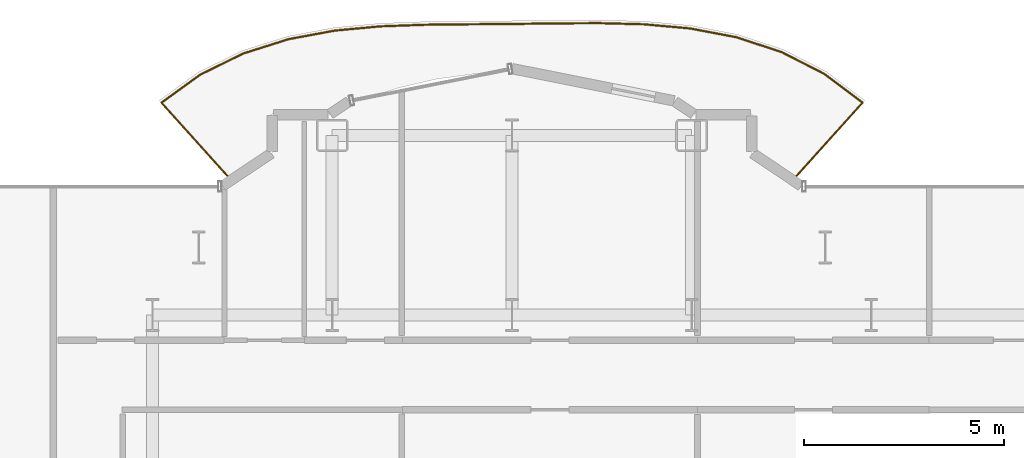
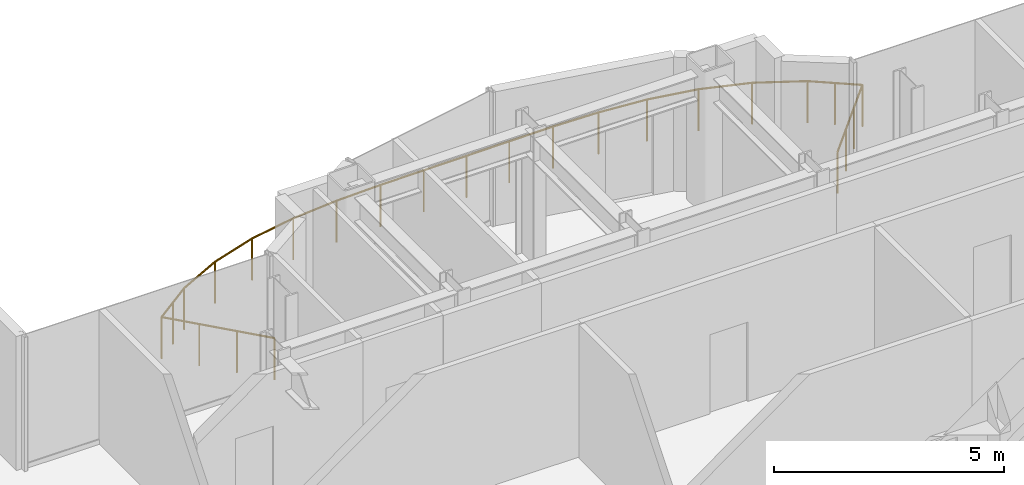
# One storey, part 23 of 23: 1 railing.
"""IFC4 building model written with IfcOpenShell, lengths in metres."""

from ifc_helpers import new_model, si_unit, direction, frame, origin, origin_2d, place, context, subcontext, project, spatial, circle, extrude, material, type_object, element, save


model = new_model("IFC4")

# Units and contexts
model_context = context("Model", 3, precision=1e-05, world=origin(), true_north=direction((0.0, 1.0)))
body_context = subcontext(model_context, "Body", "Model", "MODEL_VIEW")
ifc_project = project(units=[si_unit("LENGTHUNIT", "METRE"), si_unit("AREAUNIT", "SQUARE_METRE"), si_unit("VOLUMEUNIT", "CUBIC_METRE"), si_unit("PLANEANGLEUNIT", "RADIAN"), si_unit("MASSUNIT", "GRAM", prefix="KILO")], contexts=[model_context])

# Site, building, storey
site_placement = place(None, origin())
site = spatial("IfcSite", under=ifc_project, at=site_placement, CompositionType="ELEMENT")
building_placement = place(site_placement, origin())
building = spatial("IfcBuilding", under=site, at=building_placement, Name="Nefas-Gora Pilgrimage Tower", CompositionType="ELEMENT")
storey_placement = place(building_placement, frame((0.0, 0.0, 156.39990234375)))
storey = spatial("IfcBuildingStorey", under=building, at=storey_placement, Name="L38", CompositionType="ELEMENT", Elevation=156.39990234375)

# Railing
ifc_material = material(Name="Laminated safety glass and stainless steel", Category="steel")
railing_type = type_object("IfcRailingType", Name="RLG-BAL-1100", PredefinedType="BALUSTRADE", material=ifc_material)
railing_placement = place(storey_placement, frame((4.802490234375, 21.402587890625, 0.0)))
element("IfcRailing", 1, at=railing_placement, inside=storey, type_object=railing_type, Name="L38 Wave Balcony Balustrade N1", PredefinedType="BALUSTRADE", context=body_context, shape_type="SweptSolid", body=[
    extrude(circle(Radius=0.02392578125, at=origin_2d()), frame((0.0, 0.0, 1.09619140625), z_axis=(0.669142449017, 0.743134162129, 0.0), x_axis=(-0.743134162129, 0.669142449017, 0.0)), (0.0, 0.0, 1.0), 2.580322265625),
    extrude(circle(Radius=0.02392578125, at=origin_2d()), frame((1.7265625, 1.91748046875, 1.09619140625), z_axis=(-0.799609380454, 0.600520473164, 0.0), x_axis=(-0.600520473164, -0.799609380454, 0.0)), (0.0, 0.0, 1.0), 1.200439453125),
    extrude(circle(Radius=0.02392578125, at=origin_2d()), frame((0.7666015625, 2.638427734375, 1.09619140625), z_axis=(-0.890733279512, 0.45452637412, 0.0), x_axis=(-0.45452637412, -0.890733279512, 0.0)), (0.0, 0.0, 1.0), 1.199462890625),
    extrude(circle(Radius=0.02392578125, at=origin_2d()), frame((-0.3017578125, 3.18359375, 1.09619140625), z_axis=(-0.950145160324, 0.311807912523, 0.0), x_axis=(-0.311807912523, -0.950145160324, 0.0)), (0.0, 0.0, 1.0), 1.194091796875),
    extrude(circle(Radius=0.02392578125, at=origin_2d()), frame((-1.436279296875, 3.555908203125, 1.09619140625), z_axis=(-0.982457799544, 0.186485045284, 0.0), x_axis=(-0.186485045284, -0.982457799544, 0.0)), (0.0, 0.0, 1.0), 1.180908203125),
    extrude(circle(Radius=0.02392578125, at=origin_2d()), frame((-2.596435546875, 3.776123046875, 1.09619140625), z_axis=(-0.996011638398, 0.089223405981, 0.0), x_axis=(-0.089223405981, -0.996011638398, 0.0)), (0.0, 0.0, 1.0), 1.157470703125),
    extrude(circle(Radius=0.02392578125, at=origin_2d()), frame((-3.749267578125, 3.87939453125, 1.09619140625), z_axis=(-0.99967356135, 0.025549378436, 0.0), x_axis=(-0.025549378436, -0.99967356135, 0.0)), (0.0, 0.0, 1.0), 1.127685546875),
    extrude(circle(Radius=0.02392578125, at=origin_2d()), frame((-4.87646484375, 3.908203125, 1.09619140625), z_axis=(-0.999980616702, -0.00622625245, 0.0), x_axis=(0.00622625245, -0.999980616702, 0.0)), (0.0, 0.0, 1.0), 1.097900390625),
    extrude(circle(Radius=0.02392578125, at=origin_2d()), frame((-5.974365234375, 3.9013671875, 1.09619140625), z_axis=(-0.99992244912, -0.012453744271, 0.0), x_axis=(0.012453744271, -0.99992244912, 0.0)), (0.0, 0.0, 1.0), 1.078125),
    extrude(circle(Radius=0.02392578125, at=origin_2d()), frame((-7.052490234375, 3.887939453125, 1.09619140625), z_axis=(-0.999968478826, -0.007939858611, 0.0), x_axis=(0.007939858611, -0.999968478826, 0.0)), (0.0, 0.0, 1.0), 1.076171875),
    extrude(circle(Radius=0.02392578125, at=origin_2d()), frame((-8.128662109375, 3.87939453125, 1.09619140625), z_axis=(-0.999947171878, -0.010278786571, 0.0), x_axis=(0.010278786571, -0.999947171878, 0.0)), (0.0, 0.0, 1.0), 1.092529296875),
    extrude(circle(Radius=0.02392578125, at=origin_2d()), frame((-9.22119140625, 3.8681640625, 1.09619140625), z_axis=(-0.99936174395, -0.03572260811, 0.0), x_axis=(0.03572260811, -0.99936174395, 0.0)), (0.0, 0.0, 1.0), 1.120849609375),
    extrude(circle(Radius=0.02392578125, at=origin_2d()), frame((-10.34130859375, 3.828125, 1.09619140625), z_axis=(-0.995737068409, -0.092237143262, 0.0), x_axis=(0.092237143262, -0.995737068409, 0.0)), (0.0, 0.0, 1.0), 1.1513671875),
    extrude(circle(Radius=0.02392578125, at=origin_2d()), frame((-11.48779296875, 3.721923828125, 1.09619140625), z_axis=(-0.983222780011, -0.182408785063, 0.0), x_axis=(0.182408785063, -0.983222780011, 0.0)), (0.0, 0.0, 1.0), 1.176513671875),
    extrude(circle(Radius=0.02392578125, at=origin_2d()), frame((-12.64453125, 3.50732421875, 1.09619140625), z_axis=(-0.953347137132, -0.301876193369, 0.0), x_axis=(0.301876193369, -0.953347137132, 0.0)), (0.0, 0.0, 1.0), 1.192138671875),
    extrude(circle(Radius=0.02392578125, at=origin_2d()), frame((-13.781005859375, 3.1474609375, 1.09619140625), z_axis=(-0.8975416003, -0.440929785489, 0.0), x_axis=(0.440929785489, -0.8975416003, 0.0)), (0.0, 0.0, 1.0), 1.19873046875),
    extrude(circle(Radius=0.02392578125, at=origin_2d()), frame((-14.85693359375, 2.618896484375, 1.09619140625), z_axis=(-0.81049147795, -0.58575042823, 0.0), x_axis=(0.58575042823, -0.81049147795, 0.0)), (0.0, 0.0, 1.0), 1.200439453125),
    extrude(circle(Radius=0.02392578125, at=origin_2d()), frame((-15.829833984375, 1.915771484375, 1.09619140625), z_axis=(0.669105995394, -0.743166984552, 0.0), x_axis=(0.743166984552, 0.669105995394, 0.0)), (0.0, 0.0, 1.0), 2.577880859375),
    extrude(circle(Radius=0.02099609375, at=origin_2d()), origin(), (0.0, 0.0, 1.0), 1.072021484375),
    extrude(circle(Radius=0.02099609375, at=origin_2d()), frame((0.575439453125, 0.63916015625, 0.0)), (0.0, 0.0, 1.0), 1.072021484375),
    extrude(circle(Radius=0.02099609375, at=origin_2d()), frame((1.151123046875, 1.2783203125, 0.0)), (0.0, 0.0, 1.0), 1.072021484375),
    extrude(circle(Radius=0.02099609375, at=origin_2d()), frame((1.7265625, 1.91748046875, 0.0)), (0.0, 0.0, 1.0), 1.072021484375),
    extrude(circle(Radius=0.02099609375, at=origin_2d()), frame((1.24658203125, 2.27783203125, 0.0)), (0.0, 0.0, 1.0), 1.072021484375),
    extrude(circle(Radius=0.02099609375, at=origin_2d()), frame((0.7666015625, 2.638427734375, 0.0)), (0.0, 0.0, 1.0), 1.072021484375),
    extrude(circle(Radius=0.02099609375, at=origin_2d()), frame((-0.3017578125, 3.18359375, 0.0)), (0.0, 0.0, 1.0), 1.072021484375),
    extrude(circle(Radius=0.02099609375, at=origin_2d()), frame((-1.436279296875, 3.555908203125, 0.0)), (0.0, 0.0, 1.0), 1.072021484375),
    extrude(circle(Radius=0.02099609375, at=origin_2d()), frame((-2.596435546875, 3.776123046875, 0.0)), (0.0, 0.0, 1.0), 1.072021484375),
    extrude(circle(Radius=0.02099609375, at=origin_2d()), frame((-3.749267578125, 3.87939453125, 0.0)), (0.0, 0.0, 1.0), 1.072021484375),
    extrude(circle(Radius=0.02099609375, at=origin_2d()), frame((-4.87646484375, 3.908203125, 0.0)), (0.0, 0.0, 1.0), 1.072021484375),
    extrude(circle(Radius=0.02099609375, at=origin_2d()), frame((-5.974365234375, 3.9013671875, 0.0)), (0.0, 0.0, 1.0), 1.072021484375),
    extrude(circle(Radius=0.02099609375, at=origin_2d()), frame((-7.052490234375, 3.887939453125, 0.0)), (0.0, 0.0, 1.0), 1.072021484375),
    extrude(circle(Radius=0.02099609375, at=origin_2d()), frame((-8.128662109375, 3.87939453125, 0.0)), (0.0, 0.0, 1.0), 1.072021484375),
    extrude(circle(Radius=0.02099609375, at=origin_2d()), frame((-9.22119140625, 3.8681640625, 0.0)), (0.0, 0.0, 1.0), 1.072021484375),
    extrude(circle(Radius=0.02099609375, at=origin_2d()), frame((-10.34130859375, 3.828125, 0.0)), (0.0, 0.0, 1.0), 1.072021484375),
    extrude(circle(Radius=0.02099609375, at=origin_2d()), frame((-11.48779296875, 3.721923828125, 0.0)), (0.0, 0.0, 1.0), 1.072021484375),
    extrude(circle(Radius=0.02099609375, at=origin_2d()), frame((-12.64453125, 3.50732421875, 0.0)), (0.0, 0.0, 1.0), 1.072021484375),
    extrude(circle(Radius=0.02099609375, at=origin_2d()), frame((-13.781005859375, 3.1474609375, 0.0)), (0.0, 0.0, 1.0), 1.072021484375),
    extrude(circle(Radius=0.02099609375, at=origin_2d()), frame((-14.85693359375, 2.618896484375, 0.0)), (0.0, 0.0, 1.0), 1.072021484375),
    extrude(circle(Radius=0.02099609375, at=origin_2d()), frame((-15.34326171875, 2.267333984375, 0.0)), (0.0, 0.0, 1.0), 1.072021484375),
    extrude(circle(Radius=0.02099609375, at=origin_2d()), frame((-15.829833984375, 1.915771484375, 0.0)), (0.0, 0.0, 1.0), 1.072021484375),
    extrude(circle(Radius=0.02099609375, at=origin_2d()), frame((-15.2548828125, 1.277099609375, 0.0)), (0.0, 0.0, 1.0), 1.072021484375),
    extrude(circle(Radius=0.02099609375, at=origin_2d()), frame((-14.679931640625, 0.638671875, 0.0)), (0.0, 0.0, 1.0), 1.072021484375),
    extrude(circle(Radius=0.02099609375, at=origin_2d()), frame((-14.10498046875, 0.0, 0.0)), (0.0, 0.0, 1.0), 1.072021484375),
])

save(model, "model.ifc")
